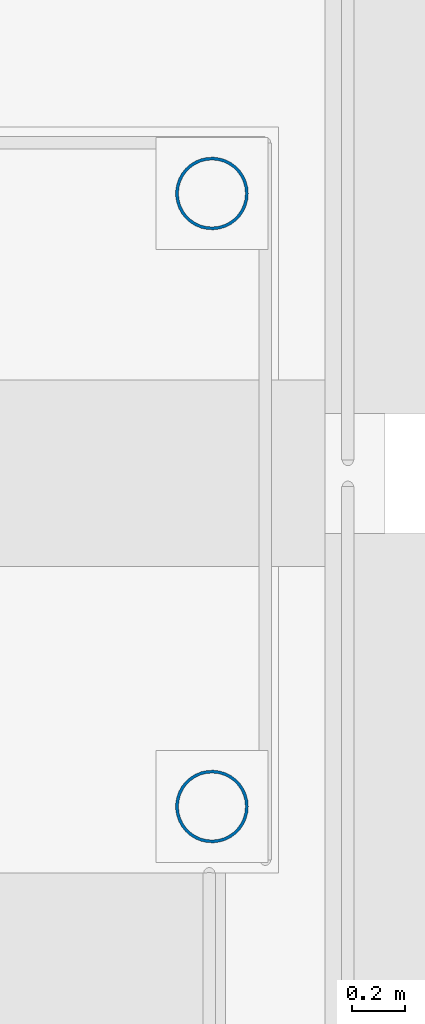
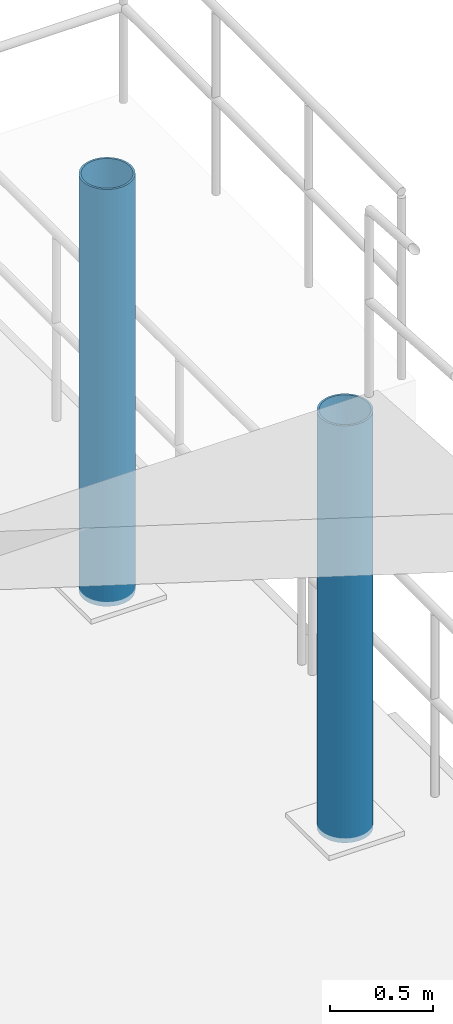
# One storey, part 12 of 71: 2 columns.
"""IFC4 building model written with IfcOpenShell, lengths in metres."""

from ifc_helpers import new_model, si_unit, direction, frame, origin, origin_2d, place, context, subcontext, project, spatial, hollow_circle, extrude, material, material_profile, profile_set, type_object, element, save


model = new_model("IFC4")

# Units and contexts
model_context = context("Model", 3, precision=1e-05, world=origin(), true_north=direction((0.0, 1.0)))
body_context = subcontext(model_context, "Body", "Model", "MODEL_VIEW")
ifc_project = project(units=[si_unit("LENGTHUNIT", "METRE"), si_unit("AREAUNIT", "SQUARE_METRE"), si_unit("VOLUMEUNIT", "CUBIC_METRE"), si_unit("PLANEANGLEUNIT", "RADIAN"), si_unit("MASSUNIT", "GRAM", prefix="KILO")], contexts=[model_context])

# Site, building, storey
site_placement = place(None, origin())
site = spatial("IfcSite", under=ifc_project, at=site_placement, CompositionType="ELEMENT")
building_placement = place(site_placement, origin())
building = spatial("IfcBuilding", under=site, at=building_placement, Name="Lornevale Opera House", CompositionType="ELEMENT")
storey_placement = place(building_placement, origin())
storey = spatial("IfcBuildingStorey", under=building, at=storey_placement, Name="L01", CompositionType="ELEMENT", Elevation=0.0)

# Columns
ifc_material = material(Name="Structural Steel CSA G40.21 Grade 350W (350 MPa)", Category="steel")
ifc_material_profile = material_profile(ifc_material, hollow_circle(Radius=0.136474609375, WallThickness=0.010986328125, at=origin_2d()), Name="HSS273x11")
ifc_profile_set = profile_set([ifc_material_profile], Name="Structural Steel CSA G40.21 Grade 350W (350 MPa)")
column_type = type_object("IfcColumnType", Name="Promenade Ramp Mast HSS273x11", PredefinedType="COLUMN", material=ifc_profile_set)
for number, where, z_axis, x_axis, name in (
    (1, (162.550048828125, 65.949951171875, 0.0), (0.0, 0.0, 1.0), (1.0, 0.0, 0.0), "Parterre Ramp Mast L01 1146"),
    (2, (162.550048828125, 68.25, 0.0), (0.0, 0.0, 1.0), (1.0, 0.0, 0.0), "Parterre Ramp Mast L01 1149"),
):
    element("IfcColumn", number, at=place(storey_placement, frame(where, z_axis=z_axis, x_axis=x_axis)), inside=storey, type_object=column_type, Name=name, PredefinedType="COLUMN", context=body_context, shape_type="SweptSolid", body=[
        extrude(hollow_circle(Radius=0.136474609375, WallThickness=0.010986328125, at=origin_2d()), origin(), (0.0, 0.0, 1.0), 2.4599609375),
    ])

save(model, "model.ifc")
